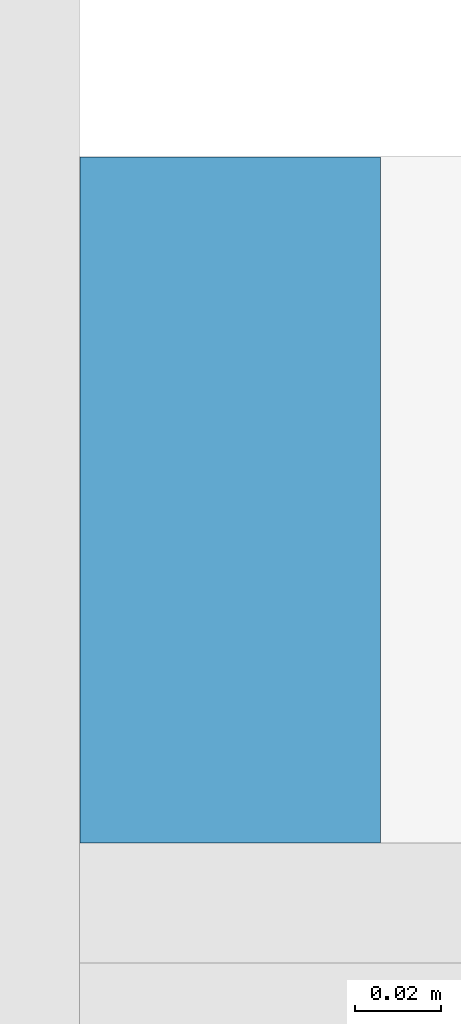
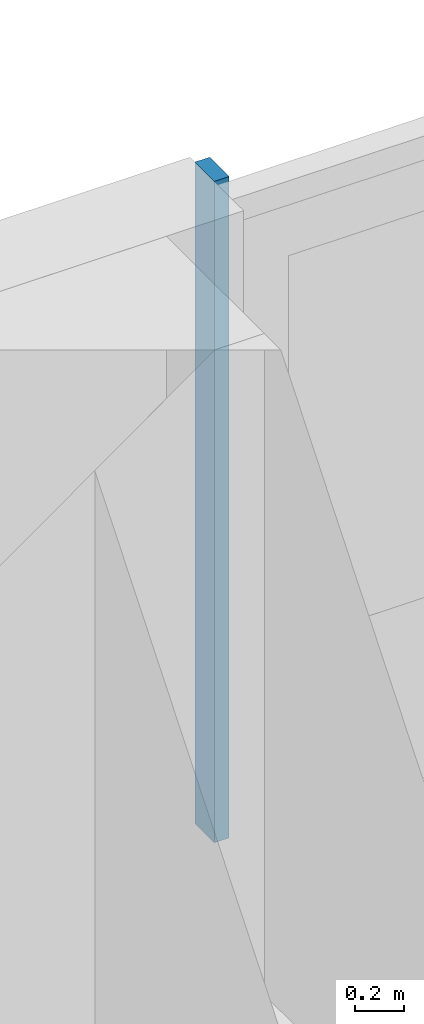
# One storey, part 11 of 24: 1 member, 1 element without a shape of its own.
"""IFC4 building model written with IfcOpenShell, lengths in metres."""

import ifcopenshell
import ifcopenshell.guid

model = None  # the IFC model being written
_history = None  # IfcOwnerHistory: only IFC2X3 demands one
_inside = {}  # id of a spatial element -> (the spatial element, [elements in it])
_under = {}  # id of a project, library or spatial element -> (it, [spatial elements below it])
_declared = {}  # id of a project -> (the project, [libraries it declares])
_typed = {}  # id of a type object -> (the type object, [elements of that type])
_made_of = {}  # id of a material, layer set ... -> (it, [elements and type objects made of it])


def new_model(schema):
    """Start an empty IFC model of exactly this schema.

    Asked for "IFC4X3", IfcOpenShell would pick the latest addendum, in which some entities
    have other attributes; the version numbers below select the first issue.
    IFC2X3 requires an IfcOwnerHistory on every rooted entity: one is made here for all.
    """
    global model, _history
    if schema == "IFC4X3":
        model = ifcopenshell.file(schema_version=(4, 3, 0, 0))
    else:
        model = ifcopenshell.file(schema=schema)
    _inside.clear()
    _under.clear()
    _declared.clear()
    _typed.clear()
    _made_of.clear()
    _history = None
    if model.schema == "IFC2X3":
        org = make("IfcOrganization", Name="unknown")
        user = make(
            "IfcPersonAndOrganization",
            ThePerson=make("IfcPerson", FamilyName="unknown"),
            TheOrganization=org,
        )
        app = make(
            "IfcApplication",
            ApplicationDeveloper=org,
            Version="unknown",
            ApplicationFullName="unknown",
            ApplicationIdentifier="unknown",
        )
        _history = make(
            "IfcOwnerHistory",
            OwningUser=user,
            OwningApplication=app,
            ChangeAction="ADDED",
            CreationDate=0,
        )
    return model


def make(cls, **values):
    """One entity of the class cls with the attributes given. An attribute that is None is left unset."""
    return model.create_entity(
        cls, **{name: value for name, value in values.items() if value is not None}
    )


def rooted(cls, **values):
    """An entity with a GlobalId (a new one), such as an element, a storey or a relation."""
    return make(cls, GlobalId=ifcopenshell.guid.new(), OwnerHistory=_history, **values)


def si_unit(unit_type, name, prefix=None):
    """IfcSIUnit, for example si_unit("LENGTHUNIT", "METRE", prefix="MILLI")."""
    return make("IfcSIUnit", UnitType=unit_type, Prefix=prefix, Name=name)


def assignment(units):
    """IfcUnitAssignment: the units of a project."""
    return None if units is None else make("IfcUnitAssignment", Units=units)


def point(xyz):
    """IfcCartesianPoint."""
    return None if xyz is None else make("IfcCartesianPoint", Coordinates=xyz)


def direction(xyz):
    """IfcDirection."""
    return None if xyz is None else make("IfcDirection", DirectionRatios=xyz)


def frame(location, z_axis=None, x_axis=None):
    """IfcAxis2Placement3D, a coordinate frame: its origin and axes. An axis left out is left unset."""
    return make(
        "IfcAxis2Placement3D",
        Location=point(location),
        Axis=direction(z_axis),
        RefDirection=direction(x_axis),
    )


def frame_2d(location, x_axis=None):
    """IfcAxis2Placement2D, a coordinate frame in the plane: its origin and x axis."""
    return make(
        "IfcAxis2Placement2D", Location=point(location), RefDirection=direction(x_axis)
    )


def origin():
    """The frame at (0, 0, 0) with its axes left unset."""
    return frame((0.0, 0.0, 0.0))


def origin_2d():
    """The frame at (0, 0) in the plane with its x axis left unset."""
    return frame_2d((0.0, 0.0))


def place(relative_to, where):
    """IfcLocalPlacement: puts the frame where relative to a parent placement (None: the world)."""
    return make(
        "IfcLocalPlacement", PlacementRelTo=relative_to, RelativePlacement=where
    )


def context(
    kind, dimensions, precision=None, world=None, true_north=None, identifier=None
):
    """IfcGeometricRepresentationContext, for example the 3D "Model" context."""
    return make(
        "IfcGeometricRepresentationContext",
        ContextIdentifier=identifier,
        ContextType=kind,
        CoordinateSpaceDimension=dimensions,
        Precision=precision,
        WorldCoordinateSystem=world,
        TrueNorth=true_north,
    )


def subcontext(parent, identifier, kind, view, scale=None):
    """IfcGeometricRepresentationSubContext, for example "Body" below "Model"."""
    return make(
        "IfcGeometricRepresentationSubContext",
        ContextIdentifier=identifier,
        ContextType=kind,
        ParentContext=parent,
        TargetScale=scale,
        TargetView=view,
    )


def project(units=None, contexts=None):
    """IfcProject with its units and contexts."""
    return rooted(
        "IfcProject",
        Name="project",
        RepresentationContexts=contexts,
        UnitsInContext=assignment(units),
    )


def spatial(cls, under=None, at=None, **own):
    """A site, building, storey or space (cls), placed at a placement, below another one or the project."""
    s = rooted(cls, ObjectPlacement=at, **own)
    if under is not None:
        _under.setdefault(under.id(), (under, []))[1].append(s)
    return s


def profile(cls, at=None, kind="AREA", **sizes):
    """A parametric profile (cls). Its sizes go by their IFC names, for example OverallWidth=200.0."""
    return make(cls, ProfileType=kind, Position=at, **sizes)


def rectangle(**sizes):
    """IfcRectangleProfileDef."""
    return profile("IfcRectangleProfileDef", **sizes)


def extrude(swept, where, along, depth):
    """IfcExtrudedAreaSolid: the profile swept, set in the frame where, extruded along a direction by depth."""
    return make(
        "IfcExtrudedAreaSolid",
        SweptArea=swept,
        Position=where,
        ExtrudedDirection=direction(along),
        Depth=depth,
    )


def shape(context_of_items, identifier, shape_type, items):
    """IfcShapeRepresentation: the items that make up one representation, for example the "Body"."""
    return make(
        "IfcShapeRepresentation",
        ContextOfItems=context_of_items,
        RepresentationIdentifier=identifier,
        RepresentationType=shape_type,
        Items=items,
    )


def material(Name=None, Category=None):
    """IfcMaterial."""
    return make("IfcMaterial", Name=Name, Category=Category)


def material_profile(
    of_material, cross_section, Name=None, Category=None, Priority=None
):
    """IfcMaterialProfile: a cross section and its material."""
    return make(
        "IfcMaterialProfile",
        Name=Name,
        Material=of_material,
        Profile=cross_section,
        Priority=Priority,
        Category=Category,
    )


def profile_set(profiles, Name=None, composite=None):
    """IfcMaterialProfileSet."""
    return make(
        "IfcMaterialProfileSet",
        Name=Name,
        MaterialProfiles=profiles,
        CompositeProfile=composite,
    )


def made_of(thing, what):
    """Note that an element or type object is made of a material, layer set ...; save() writes the relation."""
    if what is not None:
        _made_of.setdefault(what.id(), (what, []))[1].append(thing)
    return thing


def type_object(cls, material=None, **own):
    """A type object (cls), such as IfcWallType, which elements share."""
    return made_of(rooted(cls, **own), material)


def element(
    cls,
    number,
    at=None,
    inside=None,
    cuts=None,
    type_object=None,
    material=None,
    context=None,
    identifier="Body",
    shape_type=None,
    held_by="IfcProductDefinitionShape",
    body=None,
    shapes=None,
    **own,
):
    """One element of the class cls, such as IfcWall. Its Tag is "e" and its number.

    at: its placement. inside: the storey or other place that contains it. cuts: it is an
    opening in that element (IfcRelVoidsElement). A single representation is given by context,
    identifier, shape_type and body (its items); several are given by shapes. held_by: the class
    of the entity that holds the representations. save() writes the other relations.
    """
    e = rooted(cls, Tag="e%d" % number, ObjectPlacement=at, **own)
    if body is not None:
        shapes = [shape(context, identifier, shape_type, body)]
    if shapes is not None:
        e.Representation = make(held_by, Representations=shapes)
    if inside is not None:
        _inside.setdefault(inside.id(), (inside, []))[1].append(e)
    if cuts is not None:
        rooted(
            "IfcRelVoidsElement", RelatingBuildingElement=cuts, RelatedOpeningElement=e
        )
    if type_object is not None:
        _typed.setdefault(type_object.id(), (type_object, []))[1].append(e)
    return made_of(e, material)


def aggregate(whole, parts):
    """IfcRelAggregates: a whole, such as a stair, and the parts it consists of."""
    return rooted("IfcRelAggregates", RelatingObject=whole, RelatedObjects=parts)


def save(model, path):
    """Write the relations noted so far, then the file.

    IfcRelAggregates (storeys below a building ...), IfcRelContainedInSpatialStructure (elements
    in a storey), IfcRelDefinesByType, IfcRelAssociatesMaterial and IfcRelDeclares: one each for
    every whole, place, type object, material and project.
    """
    for whole, parts in _under.values():
        aggregate(whole, parts)
    for where, things in _inside.values():
        rooted(
            "IfcRelContainedInSpatialStructure",
            RelatedElements=things,
            RelatingStructure=where,
        )
    for kind, things in _typed.values():
        rooted("IfcRelDefinesByType", RelatedObjects=things, RelatingType=kind)
    for what, things in _made_of.values():
        rooted("IfcRelAssociatesMaterial", RelatedObjects=things, RelatingMaterial=what)
    for by, libraries in _declared.values():
        rooted("IfcRelDeclares", RelatingContext=by, RelatedDefinitions=libraries)
    model.write(path)


model = new_model("IFC4")

# Units and contexts
model_context = context("Model", 3, precision=1e-05, world=origin(), true_north=direction((0.0, 1.0)))
body_context = subcontext(model_context, "Body", "Model", "MODEL_VIEW")
ifc_project = project(units=[si_unit("LENGTHUNIT", "METRE"), si_unit("AREAUNIT", "SQUARE_METRE"), si_unit("VOLUMEUNIT", "CUBIC_METRE"), si_unit("PLANEANGLEUNIT", "RADIAN"), si_unit("MASSUNIT", "GRAM", prefix="KILO")], contexts=[model_context])

# Site, building, storey
site_placement = place(None, origin())
site = spatial("IfcSite", under=ifc_project, at=site_placement, CompositionType="ELEMENT")
building_placement = place(site_placement, origin())
building = spatial("IfcBuilding", under=site, at=building_placement, Name="Saffron Gate Tower", CompositionType="ELEMENT")
storey_placement = place(building_placement, frame((0.0, 0.0, 190.64990234375)))
storey = spatial("IfcBuildingStorey", under=building, at=storey_placement, Name="L47", CompositionType="ELEMENT", Elevation=190.64990234375)

# Curtain wall, member
ifc_material = material(Name="Aluminium, bronze anodised", Category="aluminium")
curtain_wall_type = type_object("IfcCurtainWallType", Name="CWS3 curtain wall rear facade", PredefinedType="NOTDEFINED", material=ifc_material)
curtain_wall_placement = place(storey_placement, origin())
curtain_wall = element("IfcCurtainWall", 1, at=curtain_wall_placement, inside=storey, type_object=curtain_wall_type, Name="CWS3 run 7", PredefinedType="NOTDEFINED")
ifc_material_profile = material_profile(ifc_material, rectangle(XDim=0.159912109375, YDim=0.070068359375, at=origin_2d()))
ifc_profile_set = profile_set([ifc_material_profile], Name="Aluminium, bronze anodised")
member_type = type_object("IfcMemberType", Name="CWS3 mullion 70x160", PredefinedType="MULLION", material=ifc_profile_set)
member_placement = place(storey_placement, frame((108.60009765625, 75.52001953125, 0.0), z_axis=(0.0, 0.0, 1.0), x_axis=(0.0, -1.0, 0.0)))
member = element("IfcMember", 2, at=member_placement, type_object=member_type, Name="CWS3 mullion 3", PredefinedType="MULLION", context=body_context, shape_type="SweptSolid", body=[
    extrude(rectangle(XDim=0.159912109375, YDim=0.070068359375, at=origin_2d()), origin(), (0.0, 0.0, 1.0), 3.300048828125),
])
aggregate(curtain_wall, [member])

save(model, "model.ifc")
